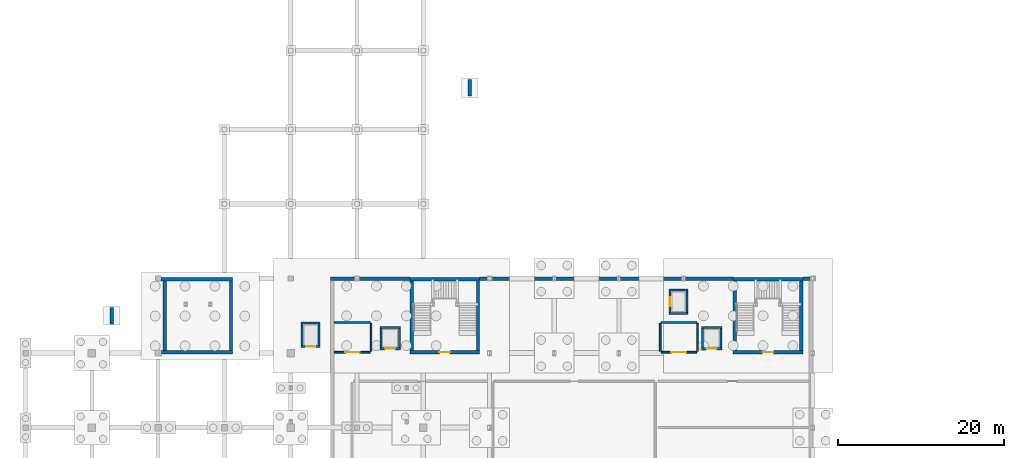
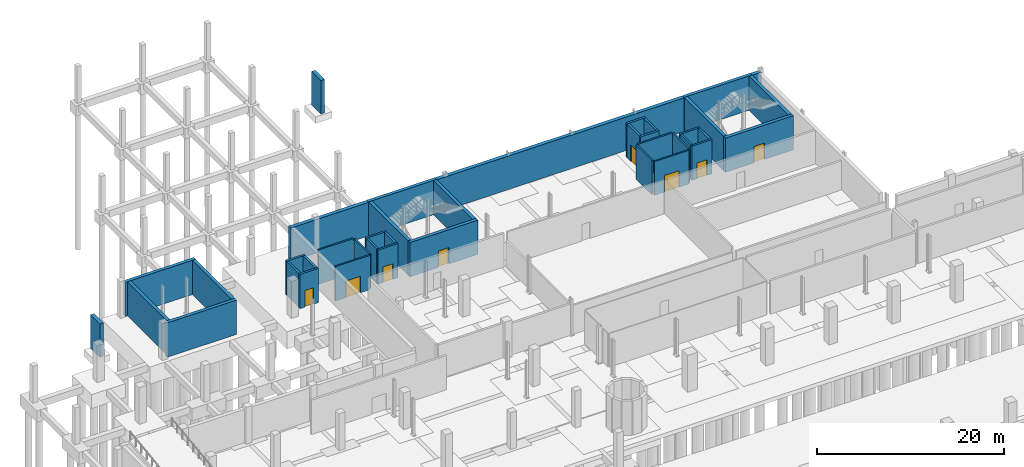
# One storey, part 29 of 32: 40 walls, 8 doors, 8 openings.
"""IFC4 building model written with IfcOpenShell, lengths in metres."""

from ifc_helpers import new_model, si_unit, derived_unit, direction, frame, frame_2d, origin, place, context, subcontext, project, spatial, rectangle, extrude, material, layer, layer_set, type_object, element, fill, save


model = new_model("IFC4")

# Units and contexts
model_context = context("Model", 3, precision=1e-05, world=origin(), true_north=direction((0.0, 1.0)))
body_context = subcontext(model_context, "Body", "Model", "MODEL_VIEW")
ifc_project = project(units=[si_unit("LENGTHUNIT", "METRE"), si_unit("AREAUNIT", "SQUARE_METRE"), si_unit("VOLUMEUNIT", "CUBIC_METRE"), si_unit("PLANEANGLEUNIT", "RADIAN"), si_unit("MASSUNIT", "GRAM", prefix="KILO"), derived_unit("THERMALTRANSMITTANCEUNIT", [(si_unit("POWERUNIT", "WATT"), 1), (si_unit("LENGTHUNIT", "METRE"), -2), (si_unit("THERMODYNAMICTEMPERATUREUNIT", "KELVIN"), -1)])], contexts=[model_context])

# Site, building, storey
site_placement = place(None, origin())
site = spatial("IfcSite", under=ifc_project, at=site_placement, CompositionType="ELEMENT")
building_placement = place(site_placement, origin())
building = spatial("IfcBuilding", under=site, at=building_placement, Name="Nallur Shell Playhouse", CompositionType="ELEMENT")
storey_placement = place(building_placement, frame((0.0, 0.0, -4.800048828125)))
storey = spatial("IfcBuildingStorey", under=building, at=storey_placement, Name="B1", CompositionType="ELEMENT", Elevation=-4.800048828125)

# Wall, opening, door
ifc_material_1 = material(Name="Concrete M45", Category="concrete")
ifc_layer_1 = layer(ifc_material_1, 0.39990234375)
ifc_layer_set_1 = layer_set([ifc_layer_1], Name="Concrete M45")
wall_type_1 = type_object("IfcWallType", Name="WL-CORE-400", PredefinedType="SHEAR", material=ifc_layer_set_1)
wall_1_placement = place(storey_placement, frame((54.39990234375, 74.10009765625, 0.0), z_axis=(0.0, 0.0, 1.0), x_axis=(1.0, 0.0, 0.0)))
wall_1 = element("IfcWall", 1, at=wall_1_placement, inside=storey, type_object=wall_type_1, Name="Joint Core JC-3 shear wall S (B1)", PredefinedType="SHEAR", context=body_context, shape_type="SweptSolid", body=[
    extrude(rectangle(XDim=8.400146484375, YDim=0.39990234375, at=frame_2d((4.2001953125, 0.0))), origin(), (0.0, 0.0, 1.0), 4.47998046875),
])
opening_1_placement = place(wall_1_placement, frame((3.550048828125, 0.0, 0.0)))
opening_1 = element("IfcOpeningElement", 2, at=opening_1_placement, cuts=wall_1, Name="Opening FD-ST1", PredefinedType="OPENING", context=body_context, shape_type="SweptSolid", body=[
    extrude(rectangle(XDim=1.300048828125, YDim=2.14990234375, at=frame_2d((0.64990234375, 1.074951171875))), frame((0.0, 0.2099609375, 0.0), z_axis=(0.0, -1.0, 0.0), x_axis=(1.0, 0.0, 0.0)), (0.0, 0.0, 1.0), 0.419921875),
])
ifc_material_2 = material(Name="Galvanised Steel Fire-Rated Stair Door", Category="steel")
door_type_1 = type_object("IfcDoorType", Name="DR-INT-STAIR-L", OperationType="SINGLE_SWING_LEFT", PredefinedType="DOOR", material=ifc_material_2)
door_1_placement = place(opening_1_placement, origin())
door_1 = element("IfcDoor", 3, at=door_1_placement, inside=storey, type_object=door_type_1, Name="Exit stair ST-03 fire door (B1)", OperationType="SINGLE_SWING_LEFT", OverallHeight=2.14990234375, OverallWidth=1.300048828125, PredefinedType="DOOR", context=body_context, shape_type="SweptSolid", body=[
    extrude(rectangle(XDim=1.300048828125, YDim=2.14990234375, at=frame_2d((0.64990234375, 1.074951171875))), frame((0.0, 0.02490234375, 0.0), z_axis=(0.0, -1.0, 0.0), x_axis=(1.0, 0.0, 0.0)), (0.0, 0.0, 1.0), 0.050048828125),
])
fill(opening_1, door_1)

# Walls
wall_2_placement = place(storey_placement, frame((62.800048828125, 82.89990234375, 0.0), z_axis=(0.0, 0.0, 1.0), x_axis=(-1.0, 0.0, 0.0)))
element("IfcWall", 4, at=wall_2_placement, inside=storey, type_object=wall_type_1, Name="Joint Core JC-3 shear wall N (B1)", PredefinedType="SHEAR", context=body_context, shape_type="SweptSolid", body=[
    extrude(rectangle(XDim=8.400146484375, YDim=0.39990234375, at=frame_2d((4.2001953125, 0.0))), origin(), (0.0, 0.0, 1.0), 4.47998046875),
])
for number, where, z_axis, x_axis, name in (
    (5, (62.60009765625, 74.31005859375, 0.0), (0.0, 0.0, 1.0), (0.0, 1.0, 0.0), "Joint Core JC-3 shear wall E (B1)"),
    (6, (54.60009765625, 82.68994140625, 0.0), (0.0, 0.0, 1.0), (0.0, -1.0, 0.0), "Joint Core JC-3 shear wall W (B1)"),
):
    element("IfcWall", number, at=place(storey_placement, frame(where, z_axis=z_axis, x_axis=x_axis)), inside=storey, type_object=wall_type_1, Name=name, PredefinedType="SHEAR", context=body_context, shape_type="SweptSolid", body=[
        extrude(rectangle(XDim=8.3798828125, YDim=0.39990234375, at=frame_2d((4.18994140625, 0.0))), origin(), (0.0, 0.0, 1.0), 4.47998046875),
    ])

# Wall, opening, door
wall_3_placement = place(storey_placement, frame((93.39990234375, 74.10009765625, 0.0), z_axis=(0.0, 0.0, 1.0), x_axis=(1.0, 0.0, 0.0)))
wall_3 = element("IfcWall", 7, at=wall_3_placement, inside=storey, type_object=wall_type_1, Name="Joint Core JC-4 shear wall S (B1)", PredefinedType="SHEAR", context=body_context, shape_type="SweptSolid", body=[
    extrude(rectangle(XDim=8.400146484375, YDim=0.39990234375, at=frame_2d((4.2001953125, 0.0))), origin(), (0.0, 0.0, 1.0), 4.47998046875),
])
opening_2_placement = place(wall_3_placement, frame((3.550048828125, 0.0, 0.0)))
opening_2 = element("IfcOpeningElement", 8, at=opening_2_placement, cuts=wall_3, Name="Opening FD-ST1", PredefinedType="OPENING", context=body_context, shape_type="SweptSolid", body=[
    extrude(rectangle(XDim=1.300048828125, YDim=2.14990234375, at=frame_2d((0.64990234375, 1.074951171875))), frame((0.0, 0.2099609375, 0.0), z_axis=(0.0, -1.0, 0.0), x_axis=(1.0, 0.0, 0.0)), (0.0, 0.0, 1.0), 0.419921875),
])
door_2_placement = place(opening_2_placement, origin())
door_2 = element("IfcDoor", 9, at=door_2_placement, inside=storey, type_object=door_type_1, Name="Exit stair ST-04 fire door (B1)", OperationType="SINGLE_SWING_LEFT", OverallHeight=2.14990234375, OverallWidth=1.300048828125, PredefinedType="DOOR", context=body_context, shape_type="SweptSolid", body=[
    extrude(rectangle(XDim=1.300048828125, YDim=2.14990234375, at=frame_2d((0.64990234375, 1.074951171875))), frame((0.0, 0.02490234375, 0.0), z_axis=(0.0, -1.0, 0.0), x_axis=(1.0, 0.0, 0.0)), (0.0, 0.0, 1.0), 0.050048828125),
])
fill(opening_2, door_2)

# Walls
wall_4_placement = place(storey_placement, frame((101.800048828125, 82.89990234375, 0.0), z_axis=(0.0, 0.0, 1.0), x_axis=(-1.0, 0.0, 0.0)))
element("IfcWall", 10, at=wall_4_placement, inside=storey, type_object=wall_type_1, Name="Joint Core JC-4 shear wall N (B1)", PredefinedType="SHEAR", context=body_context, shape_type="SweptSolid", body=[
    extrude(rectangle(XDim=8.400146484375, YDim=0.39990234375, at=frame_2d((4.2001953125, 0.0))), origin(), (0.0, 0.0, 1.0), 4.47998046875),
])
for number, where, z_axis, x_axis, name in (
    (11, (101.60009765625, 74.31005859375, 0.0), (0.0, 0.0, 1.0), (0.0, 1.0, 0.0), "Joint Core JC-4 shear wall E (B1)"),
    (12, (93.60009765625, 82.68994140625, 0.0), (0.0, 0.0, 1.0), (0.0, -1.0, 0.0), "Joint Core JC-4 shear wall W (B1)"),
):
    element("IfcWall", number, at=place(storey_placement, frame(where, z_axis=z_axis, x_axis=x_axis)), inside=storey, type_object=wall_type_1, Name=name, PredefinedType="SHEAR", context=body_context, shape_type="SweptSolid", body=[
        extrude(rectangle(XDim=8.3798828125, YDim=0.39990234375, at=frame_2d((4.18994140625, 0.0))), origin(), (0.0, 0.0, 1.0), 4.47998046875),
    ])
wall_5_placement = place(storey_placement, frame((24.3740234375, 74.10009765625, 0.0), z_axis=(0.0, 0.0, 1.0), x_axis=(1.0, 0.0, 0.0)))
element("IfcWall", 13, at=wall_5_placement, inside=storey, type_object=wall_type_1, Name="Joint Core JC-6 substructure foundation wall S (B1)", PredefinedType="SHEAR", context=body_context, shape_type="SweptSolid", body=[
    extrude(rectangle(XDim=8.6259765625, YDim=0.39990234375, at=frame_2d((4.31298828125, 0.0))), origin(), (0.0, 0.0, 1.0), 4.47998046875),
])
wall_6_placement = place(storey_placement, frame((33.0, 82.89990234375, 0.0), z_axis=(0.0, 0.0, 1.0), x_axis=(-1.0, 0.0, 0.0)))
element("IfcWall", 14, at=wall_6_placement, inside=storey, type_object=wall_type_1, Name="Joint Core JC-6 substructure foundation wall N (B1)", PredefinedType="SHEAR", context=body_context, shape_type="SweptSolid", body=[
    extrude(rectangle(XDim=8.676025390625, YDim=0.39990234375, at=frame_2d((4.337890625, 0.0))), origin(), (0.0, 0.0, 1.0), 4.47998046875),
])
for number, where, z_axis, x_axis, name in (
    (15, (32.800048828125, 74.31005859375, 0.0), (0.0, 0.0, 1.0), (0.0, 1.0, 0.0), "Joint Core JC-6 substructure foundation wall E (B1)"),
    (16, (24.800048828125, 82.68994140625, 0.0), (0.0, 0.0, 1.0), (0.0, -1.0, 0.0), "Joint Core JC-6 substructure foundation wall W (B1)"),
):
    element("IfcWall", number, at=place(storey_placement, frame(where, z_axis=z_axis, x_axis=x_axis)), inside=storey, type_object=wall_type_1, Name=name, PredefinedType="SHEAR", context=body_context, shape_type="SweptSolid", body=[
        extrude(rectangle(XDim=8.3798828125, YDim=0.39990234375, at=frame_2d((4.18994140625, 0.0))), origin(), (0.0, 0.0, 1.0), 4.47998046875),
    ])
ifc_material_3 = material(Name="Concrete M30", Category="concrete")
ifc_layer_2 = layer(ifc_material_3, 0.199951171875)
ifc_layer_set_2 = layer_set([ifc_layer_2], Name="Concrete M30")
wall_type_2 = type_object("IfcWallType", Name="WL-PART-AC200", PredefinedType="PARTITIONING", material=ifc_layer_set_2)
wall_7_placement = place(storey_placement, frame((45.25390625, 77.699951171875, 0.0), z_axis=(0.0, 0.0, 1.0), x_axis=(1.0, 0.0, 0.0)))
element("IfcWall", 17, at=wall_7_placement, inside=storey, type_object=wall_type_2, Name="Firefighting Lobby JC-3 partition IW-B1-0001", PredefinedType="PARTITIONING", context=body_context, shape_type="SweptSolid", body=[
    extrude(rectangle(XDim=4.326171875, YDim=0.199951171875, at=frame_2d((2.1630859375, 0.0))), origin(), (0.0, 0.0, 1.0), 4.469970703125),
])
wall_8_placement = place(storey_placement, frame((49.699951171875, 77.580078125, 0.0), z_axis=(0.0, 0.0, 1.0), x_axis=(0.0, -1.0, 0.0)))
element("IfcWall", 18, at=wall_8_placement, inside=storey, type_object=wall_type_2, Name="Firefighting Lobby JC-3 partition IW-B1-0002", PredefinedType="PARTITIONING", context=body_context, shape_type="SweptSolid", body=[
    extrude(rectangle(XDim=3.360107421875, YDim=0.199951171875, at=frame_2d((1.68017578125, 0.0))), origin(), (0.0, 0.0, 1.0), 4.469970703125),
])

# Wall, opening, door
wall_9_placement = place(storey_placement, frame((49.580078125, 74.10009765625, 0.0), z_axis=(0.0, 0.0, 1.0), x_axis=(-1.0, 0.0, 0.0)))
wall_9 = element("IfcWall", 19, at=wall_9_placement, inside=storey, type_object=wall_type_2, Name="Firefighting Lobby JC-3 partition IW-B1-0003", PredefinedType="PARTITIONING", context=body_context, shape_type="SweptSolid", body=[
    extrude(rectangle(XDim=4.326171875, YDim=0.199951171875, at=frame_2d((2.1630859375, 0.0))), origin(), (0.0, 0.0, 1.0), 4.469970703125),
])
opening_3_placement = place(wall_9_placement, frame((1.22998046875, 0.0, 0.0)))
opening_3 = element("IfcOpeningElement", 20, at=opening_3_placement, cuts=wall_9, Name="Opening FD-FL1", PredefinedType="OPENING", context=body_context, shape_type="SweptSolid", body=[
    extrude(rectangle(XDim=1.800048828125, YDim=2.14990234375, at=frame_2d((0.89990234375, 1.074951171875))), frame((0.0, 0.10986328125, 0.0), z_axis=(0.0, -1.0, 0.0), x_axis=(1.0, 0.0, 0.0)), (0.0, 0.0, 1.0), 0.219970703125),
])
ifc_material_4 = material(Name="Firefighting Lobby Smoke-Seal Double Door")
door_type_2 = type_object("IfcDoorType", Name="DR-INT-FFL-DBL", OperationType="DOUBLE_DOOR_SINGLE_SWING", PredefinedType="DOOR", material=ifc_material_4)
door_3_placement = place(opening_3_placement, origin())
door_3 = element("IfcDoor", 21, at=door_3_placement, inside=storey, type_object=door_type_2, Name="Firefighting Lobby JC-3 smoke-seal door (B1)", OperationType="DOUBLE_DOOR_SINGLE_SWING", OverallHeight=2.14990234375, OverallWidth=1.800048828125, PredefinedType="DOOR", context=body_context, shape_type="SweptSolid", body=[
    extrude(rectangle(XDim=1.800048828125, YDim=2.14990234375, at=frame_2d((0.89990234375, 1.074951171875))), frame((0.0, 0.02490234375, 0.0), z_axis=(0.0, -1.0, 0.0), x_axis=(1.0, 0.0, 0.0)), (0.0, 0.0, 1.0), 0.050048828125),
])
fill(opening_3, door_3)

# Walls
wall_10_placement = place(storey_placement, frame((84.60009765625, 74.219970703125, 0.0), z_axis=(0.0, 0.0, 1.0), x_axis=(0.0, 1.0, 0.0)))
element("IfcWall", 22, at=wall_10_placement, inside=storey, type_object=wall_type_2, Name="Firefighting Lobby JC-4 partition IW-B1-0004", PredefinedType="PARTITIONING", context=body_context, shape_type="SweptSolid", body=[
    extrude(rectangle(XDim=3.360107421875, YDim=0.199951171875, at=frame_2d((1.68017578125, 0.0))), origin(), (0.0, 0.0, 1.0), 4.469970703125),
])
wall_11_placement = place(storey_placement, frame((84.719970703125, 77.699951171875, 0.0), z_axis=(0.0, 0.0, 1.0), x_axis=(1.0, 0.0, 0.0)))
element("IfcWall", 23, at=wall_11_placement, inside=storey, type_object=wall_type_2, Name="Firefighting Lobby JC-4 partition IW-B1-0005", PredefinedType="PARTITIONING", context=body_context, shape_type="SweptSolid", body=[
    extrude(rectangle(XDim=4.260009765625, YDim=0.199951171875, at=frame_2d((2.1298828125, 0.0))), origin(), (0.0, 0.0, 1.0), 4.469970703125),
])
wall_12_placement = place(storey_placement, frame((89.10009765625, 77.580078125, 0.0), z_axis=(0.0, 0.0, 1.0), x_axis=(0.0, -1.0, 0.0)))
element("IfcWall", 24, at=wall_12_placement, inside=storey, type_object=wall_type_2, Name="Firefighting Lobby JC-4 partition IW-B1-0006", PredefinedType="PARTITIONING", context=body_context, shape_type="SweptSolid", body=[
    extrude(rectangle(XDim=3.360107421875, YDim=0.199951171875, at=frame_2d((1.68017578125, 0.0))), origin(), (0.0, 0.0, 1.0), 4.469970703125),
])

# Wall, opening, door
wall_13_placement = place(storey_placement, frame((88.97998046875, 74.10009765625, 0.0), z_axis=(0.0, 0.0, 1.0), x_axis=(-1.0, 0.0, 0.0)))
wall_13 = element("IfcWall", 25, at=wall_13_placement, inside=storey, type_object=wall_type_2, Name="Firefighting Lobby JC-4 partition IW-B1-0007", PredefinedType="PARTITIONING", context=body_context, shape_type="SweptSolid", body=[
    extrude(rectangle(XDim=4.260009765625, YDim=0.199951171875, at=frame_2d((2.1298828125, 0.0))), origin(), (0.0, 0.0, 1.0), 4.39013671875),
])
opening_4_placement = place(wall_13_placement, frame((1.22998046875, 0.0, 0.0)))
opening_4 = element("IfcOpeningElement", 26, at=opening_4_placement, cuts=wall_13, Name="Opening FD-FL1", PredefinedType="OPENING", context=body_context, shape_type="SweptSolid", body=[
    extrude(rectangle(XDim=1.800048828125, YDim=2.14990234375, at=frame_2d((0.89990234375, 1.074951171875))), frame((0.0, 0.10986328125, 0.0), z_axis=(0.0, -1.0, 0.0), x_axis=(1.0, 0.0, 0.0)), (0.0, 0.0, 1.0), 0.219970703125),
])
door_4_placement = place(opening_4_placement, origin())
door_4 = element("IfcDoor", 27, at=door_4_placement, inside=storey, type_object=door_type_2, Name="Firefighting Lobby JC-4 smoke-seal door (B1)", OperationType="DOUBLE_DOOR_SINGLE_SWING", OverallHeight=2.14990234375, OverallWidth=1.800048828125, PredefinedType="DOOR", context=body_context, shape_type="SweptSolid", body=[
    extrude(rectangle(XDim=1.800048828125, YDim=2.14990234375, at=frame_2d((0.89990234375, 1.074951171875))), frame((0.0, 0.02490234375, 0.0), z_axis=(0.0, -1.0, 0.0), x_axis=(1.0, 0.0, 0.0)), (0.0, 0.0, 1.0), 0.050048828125),
])
fill(opening_4, door_4)

# Walls
ifc_material_5 = material(Name="Concrete M40", Category="concrete")
ifc_layer_3 = layer(ifc_material_5, 0.449951171875)
ifc_layer_set_3 = layer_set([ifc_layer_3], Name="Concrete M40")
wall_type_3 = type_object("IfcWallType", Name="WL-RET-450", PredefinedType="USERDEFINED", material=ifc_layer_set_3)
for number, where, z_axis, x_axis, name in (
    (28, (18.39990234375, 77.5, 0.0), (0.0, 0.0, 1.0), (0.0, 1.0, 0.0), "Accessible ramp foundation stem wall 04"),
    (29, (61.60009765625, 105.0, 0.0), (0.0, 0.0, 1.0), (0.0, 1.0, 0.0), "Accessible ramp foundation stem wall 05"),
):
    element("IfcWall", number, at=place(storey_placement, frame(where, z_axis=z_axis, x_axis=x_axis)), inside=storey, type_object=wall_type_3, Name=name, ObjectType="RETAININGWALL", PredefinedType="USERDEFINED", context=body_context, shape_type="SweptSolid", body=[
        extrude(rectangle(XDim=2.0, YDim=0.449951171875, at=frame_2d((1.0, 0.0))), origin(), (0.0, 0.0, 1.0), 4.35009765625),
    ])
wall_14_placement = place(storey_placement, frame((44.800048828125, 82.97509765625, 0.0), z_axis=(0.0, 0.0, 1.0), x_axis=(1.0, 0.0, 0.0)))
element("IfcWall", 30, at=wall_14_placement, inside=storey, type_object=wall_type_3, Name="Basement perimeter retaining wall RW-B1-1.08-1", ObjectType="RETAININGWALL", PredefinedType="USERDEFINED", context=body_context, shape_type="SweptSolid", body=[
    extrude(rectangle(XDim=9.60498046875, YDim=0.449951171875, at=frame_2d((4.802490234375, 0.0))), origin(), (0.0, 0.0, 1.0), 4.380126953125),
])
wall_15_placement = place(storey_placement, frame((62.794921875, 82.97509765625, 0.0), z_axis=(0.0, 0.0, 1.0), x_axis=(1.0, 0.0, 0.0)))
element("IfcWall", 31, at=wall_15_placement, inside=storey, type_object=wall_type_3, Name="Basement perimeter retaining wall RW-B1-1.08-2", ObjectType="RETAININGWALL", PredefinedType="USERDEFINED", context=body_context, shape_type="SweptSolid", body=[
    extrude(rectangle(XDim=30.610107421875, YDim=0.449951171875, at=frame_2d((15.30517578125, 0.0))), origin(), (0.0, 0.0, 1.0), 4.380126953125),
])
wall_16_placement = place(storey_placement, frame((101.794921875, 82.97509765625, 0.0), z_axis=(0.0, 0.0, 1.0), x_axis=(1.0, 0.0, 0.0)))
element("IfcWall", 32, at=wall_16_placement, inside=storey, type_object=wall_type_3, Name="Basement perimeter retaining wall RW-B1-1.08-3", ObjectType="RETAININGWALL", PredefinedType="USERDEFINED", context=body_context, shape_type="SweptSolid", body=[
    extrude(rectangle(XDim=1.205078125, YDim=0.449951171875, at=frame_2d((0.6025390625, 0.0))), origin(), (0.0, 0.0, 1.0), 4.380126953125),
])

# Wall, opening, door
ifc_layer_4 = layer(ifc_material_1, 0.25)
ifc_layer_set_4 = layer_set([ifc_layer_4], Name="Concrete M45")
wall_type_4 = type_object("IfcWallType", Name="WL-SHAFT-250", PredefinedType="STANDARD", material=ifc_layer_set_4)
wall_17_placement = place(storey_placement, frame((50.75, 74.52490234375, 0.0), z_axis=(0.0, 0.0, 1.0), x_axis=(1.0, 0.0, 0.0)))
wall_17 = element("IfcWall", 33, at=wall_17_placement, inside=storey, type_object=wall_type_4, Name="Fireman's Lift FL-1 shaft wall south (B1)", PredefinedType="STANDARD", context=body_context, shape_type="SweptSolid", body=[
    extrude(rectangle(XDim=2.5, YDim=0.25, at=frame_2d((1.25, 0.0))), origin(), (0.0, 0.0, 1.0), 4.469970703125),
])
opening_5_placement = place(wall_17_placement, frame((0.64990234375, 0.0, 0.0)))
opening_5 = element("IfcOpeningElement", 34, at=opening_5_placement, cuts=wall_17, Name="Opening LD-F1", PredefinedType="OPENING", context=body_context, shape_type="SweptSolid", body=[
    extrude(rectangle(XDim=1.199951171875, YDim=2.050048828125, at=frame_2d((0.60009765625, 1.02490234375))), frame((0.0, 0.135009765625, 0.0), z_axis=(0.0, -1.0, 0.0), x_axis=(1.0, 0.0, 0.0)), (0.0, 0.0, 1.0), 0.27001953125),
])
ifc_material_6 = material(Name="Fireman Lift Fire-Rated Sliding Landing Door")
door_type_3 = type_object("IfcDoorType", Name="DR-LIFT-FIRE", OperationType="DOUBLE_DOOR_SLIDING", PredefinedType="DOOR", material=ifc_material_6)
door_5_placement = place(opening_5_placement, origin())
door_5 = element("IfcDoor", 35, at=door_5_placement, inside=storey, type_object=door_type_3, Name="Fireman's Lift FL-1 sliding landing door (B1)", OperationType="DOUBLE_DOOR_SLIDING", OverallHeight=2.050048828125, OverallWidth=1.199951171875, PredefinedType="DOOR", context=body_context, shape_type="SweptSolid", body=[
    extrude(rectangle(XDim=1.199951171875, YDim=2.050048828125, at=frame_2d((0.60009765625, 1.02490234375))), frame((0.0, 0.02490234375, 0.0), z_axis=(0.0, -1.0, 0.0), x_axis=(1.0, 0.0, 0.0)), (0.0, 0.0, 1.0), 0.050048828125),
])
fill(opening_5, door_5)

# Walls
wall_18_placement = place(storey_placement, frame((53.25, 77.074951171875, 0.0), z_axis=(0.0, 0.0, 1.0), x_axis=(-1.0, 0.0, 0.0)))
element("IfcWall", 36, at=wall_18_placement, inside=storey, type_object=wall_type_4, Name="Fireman's Lift FL-1 shaft wall north (B1)", PredefinedType="STANDARD", context=body_context, shape_type="SweptSolid", body=[
    extrude(rectangle(XDim=2.5, YDim=0.25, at=frame_2d((1.25, 0.0))), origin(), (0.0, 0.0, 1.0), 4.469970703125),
])
for number, where, z_axis, x_axis, name in (
    (37, (53.125, 74.659912109375, 0.0), (0.0, 0.0, 1.0), (0.0, 1.0, 0.0), "Fireman's Lift FL-1 shaft wall east (B1)"),
    (38, (50.875, 76.93994140625, 0.0), (0.0, 0.0, 1.0), (0.0, -1.0, 0.0), "Fireman's Lift FL-1 shaft wall west (B1)"),
):
    element("IfcWall", number, at=place(storey_placement, frame(where, z_axis=z_axis, x_axis=x_axis)), inside=storey, type_object=wall_type_4, Name=name, PredefinedType="STANDARD", context=body_context, shape_type="SweptSolid", body=[
        extrude(rectangle(XDim=2.280029296875, YDim=0.25, at=frame_2d((1.14013671875, 0.0))), origin(), (0.0, 0.0, 1.0), 4.469970703125),
    ])

# Wall, opening, door
wall_19_placement = place(storey_placement, frame((41.25, 74.77490234375, 0.0), z_axis=(0.0, 0.0, 1.0), x_axis=(1.0, 0.0, 0.0)))
wall_19 = element("IfcWall", 39, at=wall_19_placement, inside=storey, type_object=wall_type_4, Name="Passenger Lift PL-3 shaft wall south (B1)", PredefinedType="STANDARD", context=body_context, shape_type="SweptSolid", body=[
    extrude(rectangle(XDim=2.300048828125, YDim=0.25, at=frame_2d((1.14990234375, 0.0))), origin(), (0.0, 0.0, 1.0), 4.469970703125),
])
opening_6_placement = place(wall_19_placement, frame((0.60009765625, 0.0, 0.0)))
opening_6 = element("IfcOpeningElement", 40, at=opening_6_placement, cuts=wall_19, Name="Opening LD-P1", PredefinedType="OPENING", context=body_context, shape_type="SweptSolid", body=[
    extrude(rectangle(XDim=1.10009765625, YDim=2.14990234375, at=frame_2d((0.550048828125, 1.074951171875))), frame((0.0, 0.135009765625, 0.0), z_axis=(0.0, -1.0, 0.0), x_axis=(1.0, 0.0, 0.0)), (0.0, 0.0, 1.0), 0.27001953125),
])
ifc_material_7 = material(Name="Brushed Stainless Steel Lift Landing Door", Category="steel")
door_type_4 = type_object("IfcDoorType", Name="DR-LIFT-PASS", OperationType="DOUBLE_DOOR_SLIDING", PredefinedType="DOOR", material=ifc_material_7)
door_6_placement = place(opening_6_placement, origin())
door_6 = element("IfcDoor", 41, at=door_6_placement, inside=storey, type_object=door_type_4, Name="Passenger Lift PL-3 sliding landing door (B1)", OperationType="DOUBLE_DOOR_SLIDING", OverallHeight=2.14990234375, OverallWidth=1.10009765625, PredefinedType="DOOR", context=body_context, shape_type="SweptSolid", body=[
    extrude(rectangle(XDim=1.10009765625, YDim=2.14990234375, at=frame_2d((0.550048828125, 1.074951171875))), frame((0.0, 0.02490234375, 0.0), z_axis=(0.0, -1.0, 0.0), x_axis=(1.0, 0.0, 0.0)), (0.0, 0.0, 1.0), 0.050048828125),
])
fill(opening_6, door_6)

# Walls
wall_20_placement = place(storey_placement, frame((43.550048828125, 77.625, 0.0), z_axis=(0.0, 0.0, 1.0), x_axis=(-1.0, 0.0, 0.0)))
element("IfcWall", 42, at=wall_20_placement, inside=storey, type_object=wall_type_4, Name="Passenger Lift PL-3 shaft wall north (B1)", PredefinedType="STANDARD", context=body_context, shape_type="SweptSolid", body=[
    extrude(rectangle(XDim=2.300048828125, YDim=0.25, at=frame_2d((1.14990234375, 0.0))), origin(), (0.0, 0.0, 1.0), 4.469970703125),
])
for number, where, z_axis, x_axis, name in (
    (43, (43.425048828125, 74.909912109375, 0.0), (0.0, 0.0, 1.0), (0.0, 1.0, 0.0), "Passenger Lift PL-3 shaft wall east (B1)"),
    (44, (41.375, 77.489990234375, 0.0), (0.0, 0.0, 1.0), (0.0, -1.0, 0.0), "Passenger Lift PL-3 shaft wall west (B1)"),
):
    element("IfcWall", number, at=place(storey_placement, frame(where, z_axis=z_axis, x_axis=x_axis)), inside=storey, type_object=wall_type_4, Name=name, PredefinedType="STANDARD", context=body_context, shape_type="SweptSolid", body=[
        extrude(rectangle(XDim=2.580078125, YDim=0.25, at=frame_2d((1.2900390625, 0.0))), origin(), (0.0, 0.0, 1.0), 4.469970703125),
    ])

# Wall, opening, door
wall_21_placement = place(storey_placement, frame((89.550048828125, 74.52490234375, 0.0), z_axis=(0.0, 0.0, 1.0), x_axis=(1.0, 0.0, 0.0)))
wall_21 = element("IfcWall", 45, at=wall_21_placement, inside=storey, type_object=wall_type_4, Name="Fireman's Lift FL-2 shaft wall south (B1)", PredefinedType="STANDARD", context=body_context, shape_type="SweptSolid", body=[
    extrude(rectangle(XDim=2.5, YDim=0.25, at=frame_2d((1.25, 0.0))), origin(), (0.0, 0.0, 1.0), 4.469970703125),
])
opening_7_placement = place(wall_21_placement, frame((0.64990234375, 0.0, 0.0)))
opening_7 = element("IfcOpeningElement", 46, at=opening_7_placement, cuts=wall_21, Name="Opening LD-F1", PredefinedType="OPENING", context=body_context, shape_type="SweptSolid", body=[
    extrude(rectangle(XDim=1.199951171875, YDim=2.050048828125, at=frame_2d((0.60009765625, 1.02490234375))), frame((0.0, 0.135009765625, 0.0), z_axis=(0.0, -1.0, 0.0), x_axis=(1.0, 0.0, 0.0)), (0.0, 0.0, 1.0), 0.27001953125),
])
door_7_placement = place(opening_7_placement, origin())
door_7 = element("IfcDoor", 47, at=door_7_placement, inside=storey, type_object=door_type_3, Name="Fireman's Lift FL-2 sliding landing door (B1)", OperationType="DOUBLE_DOOR_SLIDING", OverallHeight=2.050048828125, OverallWidth=1.199951171875, PredefinedType="DOOR", context=body_context, shape_type="SweptSolid", body=[
    extrude(rectangle(XDim=1.199951171875, YDim=2.050048828125, at=frame_2d((0.60009765625, 1.02490234375))), frame((0.0, 0.02490234375, 0.0), z_axis=(0.0, -1.0, 0.0), x_axis=(1.0, 0.0, 0.0)), (0.0, 0.0, 1.0), 0.050048828125),
])
fill(opening_7, door_7)

# Walls
wall_22_placement = place(storey_placement, frame((92.050048828125, 77.074951171875, 0.0), z_axis=(0.0, 0.0, 1.0), x_axis=(-1.0, 0.0, 0.0)))
element("IfcWall", 48, at=wall_22_placement, inside=storey, type_object=wall_type_4, Name="Fireman's Lift FL-2 shaft wall north (B1)", PredefinedType="STANDARD", context=body_context, shape_type="SweptSolid", body=[
    extrude(rectangle(XDim=2.5, YDim=0.25, at=frame_2d((1.25, 0.0))), origin(), (0.0, 0.0, 1.0), 4.469970703125),
])
for number, where, z_axis, x_axis, name in (
    (49, (91.925048828125, 74.659912109375, 0.0), (0.0, 0.0, 1.0), (0.0, 1.0, 0.0), "Fireman's Lift FL-2 shaft wall east (B1)"),
    (50, (89.675048828125, 76.93994140625, 0.0), (0.0, 0.0, 1.0), (0.0, -1.0, 0.0), "Fireman's Lift FL-2 shaft wall west (B1)"),
):
    element("IfcWall", number, at=place(storey_placement, frame(where, z_axis=z_axis, x_axis=x_axis)), inside=storey, type_object=wall_type_4, Name=name, PredefinedType="STANDARD", context=body_context, shape_type="SweptSolid", body=[
        extrude(rectangle(XDim=2.280029296875, YDim=0.25, at=frame_2d((1.14013671875, 0.0))), origin(), (0.0, 0.0, 1.0), 4.469970703125),
    ])
for number, where, z_axis, x_axis, name in (
    (51, (85.64990234375, 78.77490234375, 0.0), (0.0, 0.0, 1.0), (1.0, 0.0, 0.0), "Passenger Lift PL-4 shaft wall south (B1)"),
    (52, (87.949951171875, 81.625, 0.0), (0.0, 0.0, 1.0), (-1.0, 0.0, 0.0), "Passenger Lift PL-4 shaft wall north (B1)"),
):
    element("IfcWall", number, at=place(storey_placement, frame(where, z_axis=z_axis, x_axis=x_axis)), inside=storey, type_object=wall_type_4, Name=name, PredefinedType="STANDARD", context=body_context, shape_type="SweptSolid", body=[
        extrude(rectangle(XDim=2.300048828125, YDim=0.25, at=frame_2d((1.14990234375, 0.0))), origin(), (0.0, 0.0, 1.0), 4.469970703125),
    ])
wall_23_placement = place(storey_placement, frame((87.824951171875, 78.909912109375, 0.0), z_axis=(0.0, 0.0, 1.0), x_axis=(0.0, 1.0, 0.0)))
element("IfcWall", 53, at=wall_23_placement, inside=storey, type_object=wall_type_4, Name="Passenger Lift PL-4 shaft wall east (B1)", PredefinedType="STANDARD", context=body_context, shape_type="SweptSolid", body=[
    extrude(rectangle(XDim=2.580078125, YDim=0.25, at=frame_2d((1.2900390625, 0.0))), origin(), (0.0, 0.0, 1.0), 4.469970703125),
])

# Wall, opening, door
wall_24_placement = place(storey_placement, frame((85.77490234375, 81.489990234375, 0.0), z_axis=(0.0, 0.0, 1.0), x_axis=(0.0, -1.0, 0.0)))
wall_24 = element("IfcWall", 54, at=wall_24_placement, inside=storey, type_object=wall_type_4, Name="Passenger Lift PL-4 shaft wall west (B1)", PredefinedType="STANDARD", context=body_context, shape_type="SweptSolid", body=[
    extrude(rectangle(XDim=2.580078125, YDim=0.25, at=frame_2d((1.2900390625, 0.0))), origin(), (0.0, 0.0, 1.0), 4.469970703125),
])
opening_8_placement = place(wall_24_placement, frame((0.739990234375, 0.0, 0.0)))
opening_8 = element("IfcOpeningElement", 55, at=opening_8_placement, cuts=wall_24, Name="Opening LD-P1", PredefinedType="OPENING", context=body_context, shape_type="SweptSolid", body=[
    extrude(rectangle(XDim=1.10009765625, YDim=2.14990234375, at=frame_2d((0.550048828125, 1.074951171875))), frame((0.0, 0.135009765625, 0.0), z_axis=(0.0, -1.0, 0.0), x_axis=(1.0, 0.0, 0.0)), (0.0, 0.0, 1.0), 0.27001953125),
])
door_8_placement = place(opening_8_placement, origin())
door_8 = element("IfcDoor", 56, at=door_8_placement, inside=storey, type_object=door_type_4, Name="Passenger Lift PL-4 sliding landing door (B1)", OperationType="DOUBLE_DOOR_SLIDING", OverallHeight=2.14990234375, OverallWidth=1.10009765625, PredefinedType="DOOR", context=body_context, shape_type="SweptSolid", body=[
    extrude(rectangle(XDim=1.10009765625, YDim=2.14990234375, at=frame_2d((0.550048828125, 1.074951171875))), frame((0.0, 0.02490234375, 0.0), z_axis=(0.0, -1.0, 0.0), x_axis=(1.0, 0.0, 0.0)), (0.0, 0.0, 1.0), 0.050048828125),
])
fill(opening_8, door_8)

save(model, "model.ifc")
